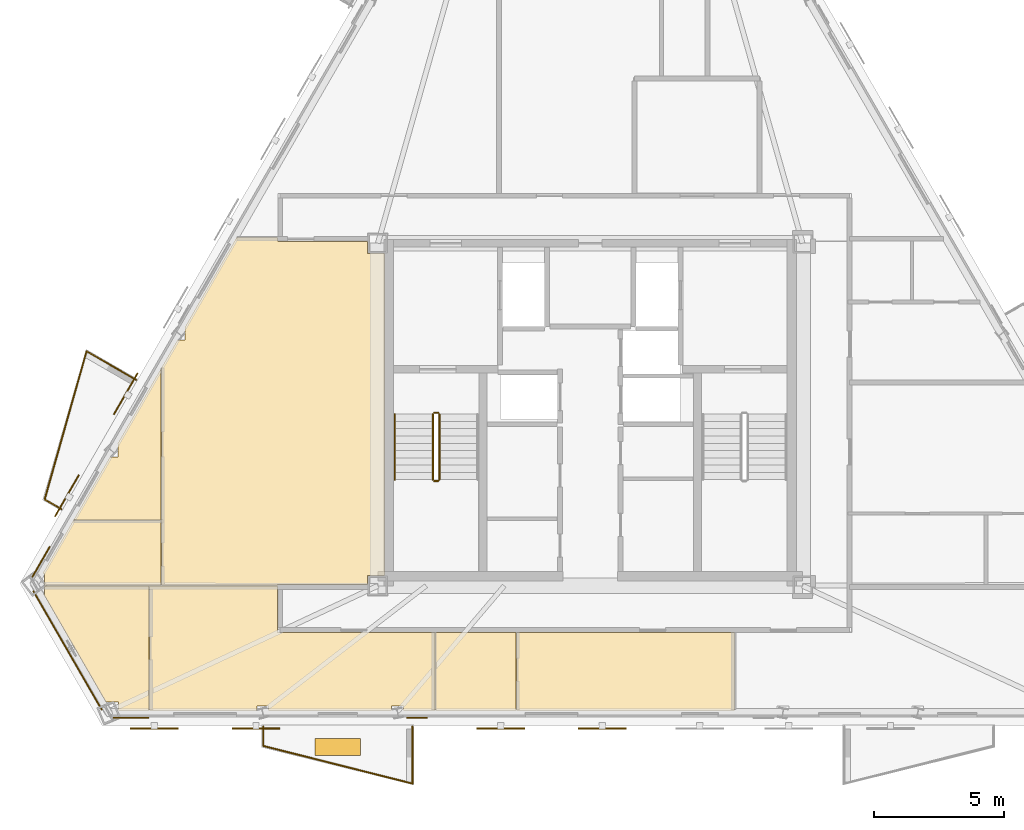
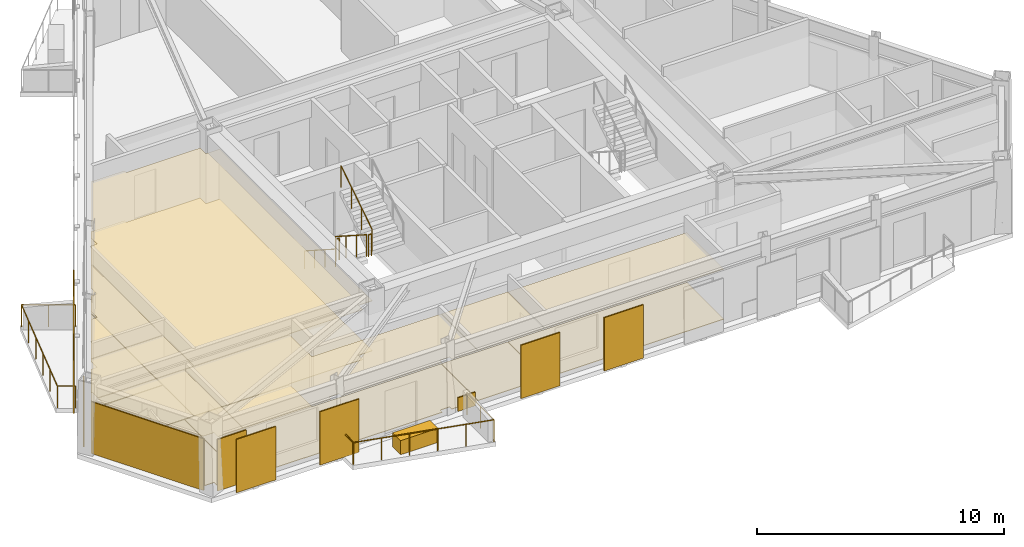
# One storey, part 6 of 8: 19 coverings, 11 railings, 6 shading devices.
"""IFC4 building model written with IfcOpenShell, lengths in metres."""

from ifc_helpers import new_model, si_unit, direction, frame, origin, origin_2d, place, context, subcontext, project, spatial, polyline, rectangle, circle, outline, extrude, material, layer, layer_set, type_object, element, save


model = new_model("IFC4")

# Units and contexts
model_context = context("Model", 3, precision=1e-05, world=origin(), true_north=direction((0.0, 1.0)))
body_context = subcontext(model_context, "Body", "Model", "MODEL_VIEW")
ifc_project = project(units=[si_unit("LENGTHUNIT", "METRE"), si_unit("AREAUNIT", "SQUARE_METRE"), si_unit("VOLUMEUNIT", "CUBIC_METRE"), si_unit("PLANEANGLEUNIT", "RADIAN"), si_unit("MASSUNIT", "GRAM", prefix="KILO")], contexts=[model_context])

# Site, building, storey
site_placement = place(None, origin())
site = spatial("IfcSite", under=ifc_project, at=site_placement, CompositionType="ELEMENT")
building_placement = place(site_placement, origin())
building = spatial("IfcBuilding", under=site, at=building_placement, Name="Oramaril Tower", CompositionType="ELEMENT")
storey_placement = place(building_placement, frame((0.0, 0.0, 241.5)))
storey = spatial("IfcBuildingStorey", under=building, at=storey_placement, Name="L64", CompositionType="ELEMENT", Elevation=241.5)

# Coverings
ifc_material_1 = material(Name="Mineral Fibre Acoustic Ceiling")
ifc_layer_1 = layer(ifc_material_1, 0.02001953125)
ifc_layer_set_1 = layer_set([ifc_layer_1], Name="CVT-CEIL")
covering_type_1 = type_object("IfcCoveringType", Name="CVT-CEIL", PredefinedType="CEILING", material=ifc_layer_set_1)
covering_1_placement = place(storey_placement, frame((0.0, 0.0, 2.471923828125)))
element("IfcCovering", 1, at=covering_1_placement, inside=storey, type_object=covering_type_1, Name="L64 Acoustic Suspended Ceiling 5", PredefinedType="CEILING", context=body_context, shape_type="SweptSolid", body=[
    extrude(outline(polyline([(31.5419921875, 6.21337890625), (30.329345703125, 6.21337890625), (30.329345703125, 6.3876953125), (29.880126953125, 6.3876953125), (29.880126953125, 6.21337890625), (25.156005859375, 6.21337890625), (25.156005859375, 6.3876953125), (24.69970703125, 6.3876953125), (24.69970703125, 6.21337890625), (20.58642578125, 6.21337890625), (20.58642578125, 10.991943359375), (25.5, 10.991943359375), (25.5, 9.219970703125), (25.5, 9.218017578125), (25.50048828125, 9.216064453125), (25.5009765625, 9.214111328125), (25.50146484375, 9.21240234375), (25.50244140625, 9.210693359375), (25.50341796875, 9.208984375), (25.50439453125, 9.207275390625), (25.505859375, 9.205810546875), (25.50732421875, 9.20458984375), (25.5087890625, 9.203369140625), (25.510498046875, 9.202392578125), (25.51220703125, 9.201416015625), (25.51416015625, 9.200927734375), (25.51611328125, 9.200439453125), (25.51806640625, 9.2001953125), (25.52001953125, 9.199951171875), (31.5419921875, 9.199951171875), (31.5419921875, 6.21337890625)])), origin(), (0.0, 0.0, 1.0), 0.02001953125),
])
covering_2_placement = place(storey_placement, frame((0.0, 0.0, 2.471923828125)))
element("IfcCovering", 2, at=covering_2_placement, inside=storey, type_object=covering_type_1, Name="L64 Acoustic Suspended Ceiling 6", PredefinedType="CEILING", context=body_context, shape_type="SweptSolid", body=[
    extrude(outline(polyline([(19.394287109375, 6.21337890625), (19.394287109375, 6.5380859375), (18.899169921875, 6.5380859375), (16.51171875, 10.673583984375), (16.55419921875, 10.673583984375), (16.55419921875, 10.991943359375), (20.56640625, 10.991943359375), (20.56640625, 6.21337890625), (19.394287109375, 6.21337890625)])), origin(), (0.0, 0.0, 1.0), 0.02001953125),
])
covering_3_placement = place(storey_placement, frame((0.0, 0.0, 2.471923828125)))
element("IfcCovering", 3, at=covering_3_placement, inside=storey, type_object=covering_type_1, Name="L64 Acoustic Suspended Ceiling 7", PredefinedType="CEILING", context=body_context, shape_type="SweptSolid", body=[
    extrude(outline(polyline([(34.677978515625, 6.21337890625), (34.677978515625, 9.199951171875), (43.0419921875, 9.199951171875), (43.0419921875, 6.21337890625), (34.677978515625, 6.21337890625)])), origin(), (0.0, 0.0, 1.0), 0.02001953125),
])
covering_4_placement = place(storey_placement, frame((0.0, 0.0, 2.471923828125)))
element("IfcCovering", 4, at=covering_4_placement, inside=storey, type_object=covering_type_1, Name="L64 Acoustic Suspended Ceiling 8", PredefinedType="CEILING", context=body_context, shape_type="SweptSolid", body=[
    extrude(outline(polyline([(31.56201171875, 6.21337890625), (31.56201171875, 9.199951171875), (34.657958984375, 9.199951171875), (34.657958984375, 6.21337890625), (31.56201171875, 6.21337890625)])), origin(), (0.0, 0.0, 1.0), 0.02001953125),
])
covering_5_placement = place(storey_placement, frame((0.0, 0.0, 2.471923828125)))
element("IfcCovering", 5, at=covering_5_placement, inside=storey, type_object=covering_type_1, Name="L64 Acoustic Suspended Ceiling 12", PredefinedType="CEILING", context=body_context, shape_type="SweptSolid", body=[
    extrude(outline(polyline([(28.955078125, 23.7548828125), (29.60009765625, 23.7548828125), (29.60009765625, 11.39501953125), (28.955078125, 11.39501953125), (28.955078125, 11.050048828125), (25.52001953125, 11.050048828125), (25.51806640625, 11.0498046875), (25.51611328125, 11.049560546875), (25.51416015625, 11.049072265625), (25.51220703125, 11.048583984375), (25.510498046875, 11.047607421875), (25.5087890625, 11.046630859375), (25.50732421875, 11.04541015625), (25.505859375, 11.044189453125), (25.50439453125, 11.042724609375), (25.50341796875, 11.041015625), (25.50244140625, 11.039306640625), (25.50146484375, 11.03759765625), (25.5009765625, 11.035888671875), (25.50048828125, 11.033935546875), (25.5, 11.031982421875), (25.5, 11.030029296875), (25.5, 11.011962890625), (21.048828125, 11.011962890625), (21.048828125, 19.37890625), (21.659912109375, 20.4375), (21.9541015625, 20.4375), (21.9541015625, 20.91650390625), (21.936767578125, 20.91650390625), (23.92578125, 24.362060546875), (25.5, 24.362060546875), (25.5, 24.239990234375), (25.5, 24.238037109375), (25.50048828125, 24.236083984375), (25.5009765625, 24.234130859375), (25.50146484375, 24.232421875), (25.50244140625, 24.230712890625), (25.50341796875, 24.22900390625), (25.50439453125, 24.227294921875), (25.505859375, 24.225830078125), (25.50732421875, 24.224609375), (25.5087890625, 24.223388671875), (25.510498046875, 24.222412109375), (25.51220703125, 24.221435546875), (25.51416015625, 24.220947265625), (25.51611328125, 24.220458984375), (25.51806640625, 24.22021484375), (25.52001953125, 24.219970703125), (28.955078125, 24.219970703125), (28.955078125, 23.7548828125)])), origin(), (0.0, 0.0, 1.0), 0.02001953125),
])
covering_6_placement = place(storey_placement, frame((0.0, 0.0, 2.471923828125)))
element("IfcCovering", 6, at=covering_6_placement, inside=storey, type_object=covering_type_1, Name="L64 Acoustic Suspended Ceiling 13", PredefinedType="CEILING", context=body_context, shape_type="SweptSolid", body=[
    extrude(outline(polyline([(16.55419921875, 11.466796875), (16.48095703125, 11.466796875), (17.66162109375, 13.511962890625), (21.02880859375, 13.511962890625), (21.02880859375, 11.011962890625), (20.58642578125, 11.011962890625), (20.58447265625, 11.011962890625), (20.58251953125, 11.01171875), (20.58056640625, 11.010986328125), (20.57861328125, 11.010498046875), (20.576904296875, 11.009521484375), (20.576416015625, 11.00927734375), (20.57568359375, 11.009521484375), (20.57421875, 11.010498046875), (20.572265625, 11.010986328125), (20.5703125, 11.01171875), (20.568359375, 11.011962890625), (20.56640625, 11.011962890625), (16.55419921875, 11.011962890625), (16.55419921875, 11.466796875)])), origin(), (0.0, 0.0, 1.0), 0.02001953125),
])
covering_7_placement = place(storey_placement, frame((0.0, 0.0, 2.471923828125)))
element("IfcCovering", 7, at=covering_7_placement, inside=storey, type_object=covering_type_1, Name="L64 Acoustic Suspended Ceiling 14", PredefinedType="CEILING", context=body_context, shape_type="SweptSolid", body=[
    extrude(outline(polyline([(19.364013671875, 15.951171875), (19.364013671875, 16.4365234375), (19.35009765625, 16.4365234375), (19.410400390625, 16.541015625), (21.02880859375, 19.34423828125), (21.02880859375, 13.531982421875), (17.673095703125, 13.531982421875), (19.06982421875, 15.951171875), (19.364013671875, 15.951171875)])), origin(), (0.0, 0.0, 1.0), 0.02001953125),
])
ifc_material_2 = material(Name="Warm Cream Limestone", Category="masonry")
ifc_layer_2 = layer(ifc_material_2, 0.050048828125)
ifc_layer_set_2 = layer_set([ifc_layer_2], Name="CVT-CLD")
covering_type_2 = type_object("IfcCoveringType", Name="CVT-CLD", PredefinedType="CLADDING", material=ifc_layer_set_2)
covering_8_placement = place(storey_placement, frame((17.43798828125, 8.51708984375, 0.0400390625), z_axis=(0.0, 0.0, 1.0), x_axis=(0.500001511499, -0.866024531118, 0.0)))
element("IfcCovering", 8, at=covering_8_placement, inside=storey, type_object=covering_type_2, Name="L64 Warm Cream Limestone Cladding", PredefinedType="CLADDING", context=body_context, shape_type="SweptSolid", body=[
    extrude(rectangle(XDim=5.263671875, YDim=0.050048828125, at=origin_2d()), origin(), (0.0, 0.0, 1.0), 2.556884765625),
])
covering_9_placement = place(storey_placement, frame((19.87451171875, 5.9375, 0.0400390625), z_axis=(0.0, 0.0, 1.0), x_axis=(1.0, 0.0, 0.0)))
element("IfcCovering", 9, at=covering_9_placement, inside=storey, type_object=covering_type_2, Name="L64 Warm Cream Limestone Cladding", PredefinedType="CLADDING", context=body_context, shape_type="SweptSolid", body=[
    extrude(rectangle(XDim=1.35009765625, YDim=0.050048828125, at=origin_2d()), origin(), (0.0, 0.0, 1.0), 2.556884765625),
])
covering_10_placement = place(storey_placement, frame((30.848876953125, 5.9375, 0.0400390625), z_axis=(0.0, 0.0, 1.0), x_axis=(1.0, 0.0, 0.0)))
element("IfcCovering", 10, at=covering_10_placement, inside=storey, type_object=covering_type_2, Name="L64 Warm Cream Limestone Spandrel Cladding", PredefinedType="CLADDING", context=body_context, shape_type="SweptSolid", body=[
    extrude(rectangle(XDim=0.800048828125, YDim=0.050048828125, at=origin_2d()), origin(), (0.0, 0.0, 1.0), 0.679931640625),
])
covering_11_placement = place(storey_placement, frame((16.422119140625, 11.9169921875, 0.0400390625), z_axis=(0.0, 0.0, 1.0), x_axis=(-0.4999984885, -0.866026276448, 0.0)))
element("IfcCovering", 11, at=covering_11_placement, inside=storey, type_object=covering_type_2, Name="L64 Warm Cream Limestone Cladding", PredefinedType="CLADDING", context=body_context, shape_type="SweptSolid", body=[
    extrude(rectangle(XDim=1.35009765625, YDim=0.050048828125, at=origin_2d()), origin(), (0.0, 0.0, 1.0), 2.556884765625),
])
covering_12_placement = place(storey_placement, frame((27.808837890625, 4.80908203125, 0.0), z_axis=(0.0, 0.0, 1.0), x_axis=(1.0, 0.0, 0.0)))
element("IfcCovering", 12, at=covering_12_placement, inside=storey, type_object=covering_type_2, Name="L64 Structural Tree Planter Box L64-BAL-S1", PredefinedType="CLADDING", context=body_context, shape_type="SweptSolid", body=[
    extrude(rectangle(XDim=1.75, YDim=0.64990234375, at=origin_2d()), origin(), (0.0, 0.0, 1.0), 0.699951171875),
])
ifc_material_3 = material(Name="Honed Quartzite Stone Flooring", Category="masonry")
ifc_layer_3 = layer(ifc_material_3, 0.02490234375)
ifc_layer_set_3 = layer_set([ifc_layer_3], Name="CVT-FLR")
covering_type_3 = type_object("IfcCoveringType", Name="CVT-FLR", PredefinedType="FLOORING", material=ifc_layer_set_3)
covering_13_placement = place(storey_placement, origin())
element("IfcCovering", 13, at=covering_13_placement, inside=storey, type_object=covering_type_3, Name="L64 Honed Stone Floor Finish 5", PredefinedType="FLOORING", context=body_context, shape_type="SweptSolid", body=[
    extrude(outline(polyline([(31.5419921875, 6.21337890625), (30.329345703125, 6.21337890625), (30.329345703125, 6.3876953125), (29.880126953125, 6.3876953125), (29.880126953125, 6.21337890625), (25.156005859375, 6.21337890625), (25.156005859375, 6.3876953125), (24.69970703125, 6.3876953125), (24.69970703125, 6.21337890625), (20.58642578125, 6.21337890625), (20.58642578125, 10.991943359375), (25.5, 10.991943359375), (25.5, 9.219970703125), (25.5, 9.218017578125), (25.50048828125, 9.216064453125), (25.5009765625, 9.214111328125), (25.50146484375, 9.21240234375), (25.50244140625, 9.210693359375), (25.50341796875, 9.208984375), (25.50439453125, 9.207275390625), (25.505859375, 9.205810546875), (25.50732421875, 9.20458984375), (25.5087890625, 9.203369140625), (25.510498046875, 9.202392578125), (25.51220703125, 9.201416015625), (25.51416015625, 9.200927734375), (25.51611328125, 9.200439453125), (25.51806640625, 9.2001953125), (25.52001953125, 9.199951171875), (31.5419921875, 9.199951171875), (31.5419921875, 6.21337890625)])), origin(), (0.0, 0.0, 1.0), 0.02490234375),
])
covering_14_placement = place(storey_placement, origin())
element("IfcCovering", 14, at=covering_14_placement, inside=storey, type_object=covering_type_3, Name="L64 Honed Stone Floor Finish 6", PredefinedType="FLOORING", context=body_context, shape_type="SweptSolid", body=[
    extrude(outline(polyline([(19.394287109375, 6.21337890625), (19.394287109375, 6.5380859375), (18.899169921875, 6.5380859375), (16.51171875, 10.673583984375), (16.55419921875, 10.673583984375), (16.55419921875, 10.991943359375), (20.56640625, 10.991943359375), (20.56640625, 6.21337890625), (19.394287109375, 6.21337890625)])), origin(), (0.0, 0.0, 1.0), 0.02490234375),
])
covering_15_placement = place(storey_placement, origin())
element("IfcCovering", 15, at=covering_15_placement, inside=storey, type_object=covering_type_3, Name="L64 Honed Stone Floor Finish 7", PredefinedType="FLOORING", context=body_context, shape_type="SweptSolid", body=[
    extrude(outline(polyline([(34.677978515625, 6.21337890625), (34.677978515625, 9.199951171875), (43.0419921875, 9.199951171875), (43.0419921875, 6.21337890625), (34.677978515625, 6.21337890625)])), origin(), (0.0, 0.0, 1.0), 0.02490234375),
])
covering_16_placement = place(storey_placement, origin())
element("IfcCovering", 16, at=covering_16_placement, inside=storey, type_object=covering_type_3, Name="L64 Honed Stone Floor Finish 8", PredefinedType="FLOORING", context=body_context, shape_type="SweptSolid", body=[
    extrude(outline(polyline([(31.56201171875, 6.21337890625), (31.56201171875, 9.199951171875), (34.657958984375, 9.199951171875), (34.657958984375, 6.21337890625), (31.56201171875, 6.21337890625)])), origin(), (0.0, 0.0, 1.0), 0.02490234375),
])
covering_17_placement = place(storey_placement, origin())
element("IfcCovering", 17, at=covering_17_placement, inside=storey, type_object=covering_type_3, Name="L64 Honed Stone Floor Finish 12", PredefinedType="FLOORING", context=body_context, shape_type="SweptSolid", body=[
    extrude(outline(polyline([(28.955078125, 23.7548828125), (29.60009765625, 23.7548828125), (29.60009765625, 11.39501953125), (28.955078125, 11.39501953125), (28.955078125, 11.050048828125), (25.52001953125, 11.050048828125), (25.51806640625, 11.0498046875), (25.51611328125, 11.049560546875), (25.51416015625, 11.049072265625), (25.51220703125, 11.048583984375), (25.510498046875, 11.047607421875), (25.5087890625, 11.046630859375), (25.50732421875, 11.04541015625), (25.505859375, 11.044189453125), (25.50439453125, 11.042724609375), (25.50341796875, 11.041015625), (25.50244140625, 11.039306640625), (25.50146484375, 11.03759765625), (25.5009765625, 11.035888671875), (25.50048828125, 11.033935546875), (25.5, 11.031982421875), (25.5, 11.030029296875), (25.5, 11.011962890625), (21.048828125, 11.011962890625), (21.048828125, 19.37890625), (21.659912109375, 20.4375), (21.9541015625, 20.4375), (21.9541015625, 20.91650390625), (21.936767578125, 20.91650390625), (23.92578125, 24.362060546875), (25.5, 24.362060546875), (25.5, 24.239990234375), (25.5, 24.238037109375), (25.50048828125, 24.236083984375), (25.5009765625, 24.234130859375), (25.50146484375, 24.232421875), (25.50244140625, 24.230712890625), (25.50341796875, 24.22900390625), (25.50439453125, 24.227294921875), (25.505859375, 24.225830078125), (25.50732421875, 24.224609375), (25.5087890625, 24.223388671875), (25.510498046875, 24.222412109375), (25.51220703125, 24.221435546875), (25.51416015625, 24.220947265625), (25.51611328125, 24.220458984375), (25.51806640625, 24.22021484375), (25.52001953125, 24.219970703125), (28.955078125, 24.219970703125), (28.955078125, 23.7548828125)])), origin(), (0.0, 0.0, 1.0), 0.02490234375),
])
covering_18_placement = place(storey_placement, origin())
element("IfcCovering", 18, at=covering_18_placement, inside=storey, type_object=covering_type_3, Name="L64 Honed Stone Floor Finish 13", PredefinedType="FLOORING", context=body_context, shape_type="SweptSolid", body=[
    extrude(outline(polyline([(16.55419921875, 11.466796875), (16.48095703125, 11.466796875), (17.66162109375, 13.511962890625), (21.02880859375, 13.511962890625), (21.02880859375, 11.011962890625), (20.58642578125, 11.011962890625), (20.58447265625, 11.011962890625), (20.58251953125, 11.01171875), (20.58056640625, 11.010986328125), (20.57861328125, 11.010498046875), (20.576904296875, 11.009521484375), (20.576416015625, 11.00927734375), (20.57568359375, 11.009521484375), (20.57421875, 11.010498046875), (20.572265625, 11.010986328125), (20.5703125, 11.01171875), (20.568359375, 11.011962890625), (20.56640625, 11.011962890625), (16.55419921875, 11.011962890625), (16.55419921875, 11.466796875)])), origin(), (0.0, 0.0, 1.0), 0.02490234375),
])
covering_19_placement = place(storey_placement, origin())
element("IfcCovering", 19, at=covering_19_placement, inside=storey, type_object=covering_type_3, Name="L64 Honed Stone Floor Finish 14", PredefinedType="FLOORING", context=body_context, shape_type="SweptSolid", body=[
    extrude(outline(polyline([(19.364013671875, 15.951171875), (19.364013671875, 16.4365234375), (19.35009765625, 16.4365234375), (19.410400390625, 16.541015625), (21.02880859375, 19.34423828125), (21.02880859375, 13.531982421875), (17.673095703125, 13.531982421875), (19.06982421875, 15.951171875), (19.364013671875, 15.951171875)])), origin(), (0.0, 0.0, 1.0), 0.02490234375),
])

# Railings
ifc_material_4 = material(Name="Stainless Steel 316L", Category="steel")
railing_type_1 = type_object("IfcRailingType", Name="RLT-GRD", PredefinedType="GUARDRAIL", material=ifc_material_4)
railing_1_placement = place(storey_placement, frame((30.673828125, 5.597412109375, 0.0)))
element("IfcRailing", 20, at=railing_1_placement, inside=storey, type_object=railing_type_1, Name="L64 Balcony Guardrail L64-BAL-S1.1", PredefinedType="GUARDRAIL", context=body_context, shape_type="SweptSolid", body=[
    extrude(circle(Radius=0.02392578125, at=origin_2d()), frame((0.0, 0.0, 1.076171875), z_axis=(0.0, -1.0, 0.0), x_axis=(1.0, 0.0, 0.0)), (0.0, 0.0, 1.0), 2.19189453125),
    extrude(circle(Radius=0.02099609375, at=origin_2d()), origin(), (0.0, 0.0, 1.0), 1.052001953125),
    extrude(circle(Radius=0.02099609375, at=origin_2d()), frame((0.0, -1.095947265625, 0.0)), (0.0, 0.0, 1.0), 1.052001953125),
    extrude(circle(Radius=0.02099609375, at=origin_2d()), frame((0.0, -2.19189453125, 0.0)), (0.0, 0.0, 1.0), 1.052001953125),
])
railing_2_placement = place(storey_placement, frame((30.673828125, 3.405517578125, 0.0)))
element("IfcRailing", 21, at=railing_2_placement, inside=storey, type_object=railing_type_1, Name="L64 Balcony Guardrail L64-BAL-S1.2", PredefinedType="GUARDRAIL", context=body_context, shape_type="SweptSolid", body=[
    extrude(circle(Radius=0.02392578125, at=origin_2d()), frame((0.0, 0.0, 1.076171875), z_axis=(-0.969443611257, 0.245314256807, 0.0), x_axis=(-0.245314256807, -0.969443611257, 0.0)), (0.0, 0.0, 1.0), 5.91064453125),
    extrude(circle(Radius=0.02099609375, at=origin_2d()), origin(), (0.0, 0.0, 1.0), 1.052001953125),
    extrude(circle(Radius=0.02099609375, at=origin_2d()), frame((-1.14599609375, 0.2900390625, 0.0)), (0.0, 0.0, 1.0), 1.052001953125),
    extrude(circle(Radius=0.02099609375, at=origin_2d()), frame((-2.2919921875, 0.580078125, 0.0)), (0.0, 0.0, 1.0), 1.052001953125),
    extrude(circle(Radius=0.02099609375, at=origin_2d()), frame((-3.43798828125, 0.869873046875, 0.0)), (0.0, 0.0, 1.0), 1.052001953125),
    extrude(circle(Radius=0.02099609375, at=origin_2d()), frame((-4.583984375, 1.159912109375, 0.0)), (0.0, 0.0, 1.0), 1.052001953125),
    extrude(circle(Radius=0.02099609375, at=origin_2d()), frame((-5.72998046875, 1.449951171875, 0.0)), (0.0, 0.0, 1.0), 1.052001953125),
])
railing_3_placement = place(storey_placement, frame((24.94384765625, 4.85546875, 0.0)))
element("IfcRailing", 22, at=railing_3_placement, inside=storey, type_object=railing_type_1, Name="L64 Balcony Guardrail L64-BAL-S1.3", PredefinedType="GUARDRAIL", context=body_context, shape_type="SweptSolid", body=[
    extrude(circle(Radius=0.02392578125, at=origin_2d()), frame((0.0, 0.0, 1.076171875), z_axis=(0.0, 1.0, 0.0), x_axis=(-1.0, 0.0, 0.0)), (0.0, 0.0, 1.0), 0.741943359375),
    extrude(circle(Radius=0.02099609375, at=origin_2d()), origin(), (0.0, 0.0, 1.0), 1.052001953125),
    extrude(circle(Radius=0.02099609375, at=origin_2d()), frame((0.0, 0.741943359375, 0.0)), (0.0, 0.0, 1.0), 1.052001953125),
])
railing_4_placement = place(storey_placement, frame((17.19970703125, 13.944091796875, 0.0)))
element("IfcRailing", 23, at=railing_4_placement, inside=storey, type_object=railing_type_1, Name="L64 Balcony Guardrail L64-BAL-NW2.1", PredefinedType="GUARDRAIL", context=body_context, shape_type="SweptSolid", body=[
    extrude(circle(Radius=0.02392578125, at=origin_2d()), frame((0.0, 0.0, 1.076171875), z_axis=(-0.865884080729, 0.500244698863, 0.0), x_axis=(-0.500244698863, -0.865884080729, 0.0)), (0.0, 0.0, 1.0), 0.741943359375),
    extrude(circle(Radius=0.02099609375, at=origin_2d()), origin(), (0.0, 0.0, 1.0), 1.052001953125),
    extrude(circle(Radius=0.02099609375, at=origin_2d()), frame((-0.642333984375, 0.37109375, 0.0)), (0.0, 0.0, 1.0), 1.052001953125),
])
railing_5_placement = place(storey_placement, frame((16.557373046875, 14.315185546875, 0.0)))
element("IfcRailing", 24, at=railing_5_placement, inside=storey, type_object=railing_type_1, Name="L64 Balcony Guardrail L64-BAL-NW2.2", PredefinedType="GUARDRAIL", context=body_context, shape_type="SweptSolid", body=[
    extrude(circle(Radius=0.02392578125, at=origin_2d()), frame((0.0, 0.0, 1.076171875), z_axis=(0.27224886544, 0.962226873074, 0.0), x_axis=(-0.962226873074, 0.27224886544, 0.0)), (0.0, 0.0, 1.0), 5.910400390625),
    extrude(circle(Radius=0.02099609375, at=origin_2d()), origin(), (0.0, 0.0, 1.0), 1.052001953125),
    extrude(circle(Radius=0.02099609375, at=origin_2d()), frame((0.32177734375, 1.137451171875, 0.0)), (0.0, 0.0, 1.0), 1.052001953125),
    extrude(circle(Radius=0.02099609375, at=origin_2d()), frame((0.6435546875, 2.27490234375, 0.0)), (0.0, 0.0, 1.0), 1.052001953125),
    extrude(circle(Radius=0.02099609375, at=origin_2d()), frame((0.965576171875, 3.412353515625, 0.0)), (0.0, 0.0, 1.0), 1.052001953125),
    extrude(circle(Radius=0.02099609375, at=origin_2d()), frame((1.287353515625, 4.5498046875, 0.0)), (0.0, 0.0, 1.0), 1.052001953125),
    extrude(circle(Radius=0.02099609375, at=origin_2d()), frame((1.609130859375, 5.687255859375, 0.0)), (0.0, 0.0, 1.0), 1.052001953125),
])
railing_6_placement = place(storey_placement, frame((18.16650390625, 20.00244140625, 0.0)))
element("IfcRailing", 25, at=railing_6_placement, inside=storey, type_object=railing_type_1, Name="L64 Balcony Guardrail L64-BAL-NW2.3", PredefinedType="GUARDRAIL", context=body_context, shape_type="SweptSolid", body=[
    extrude(circle(Radius=0.02392578125, at=origin_2d()), frame((0.0, 0.0, 1.076171875), z_axis=(0.866020500697, -0.5000084923, 0.0), x_axis=(0.5000084923, 0.866020500697, 0.0)), (0.0, 0.0, 1.0), 2.19189453125),
    extrude(circle(Radius=0.02099609375, at=origin_2d()), origin(), (0.0, 0.0, 1.0), 1.052001953125),
    extrude(circle(Radius=0.02099609375, at=origin_2d()), frame((0.94921875, -0.5478515625, 0.0)), (0.0, 0.0, 1.0), 1.052001953125),
    extrude(circle(Radius=0.02099609375, at=origin_2d()), frame((1.898193359375, -1.095947265625, 0.0)), (0.0, 0.0, 1.0), 1.052001953125),
])
railing_7_placement = place(storey_placement, frame((31.4599609375, 17.590087890625, 0.179931640625)))
element("IfcRailing", 26, at=railing_7_placement, inside=storey, type_object=railing_type_1, Name="L64 ST-1 stair guard 1", PredefinedType="GUARDRAIL", context=body_context, shape_type="SweptSolid", body=[
    extrude(circle(Radius=0.02392578125, at=origin_2d()), frame((0.0, 0.0, 1.076171875), z_axis=(0.0, -0.841162588446, 0.540782303519), x_axis=(1.0, 0.0, 0.0)), (0.0, 0.0, 1.0), 2.995849609375),
    extrude(circle(Radius=0.02099609375, at=origin_2d()), origin(), (0.0, 0.0, 1.0), 1.052001953125),
    extrude(circle(Radius=0.02099609375, at=origin_2d()), frame((0.0, -0.840087890625, 0.5400390625)), (0.0, 0.0, 1.0), 1.052001953125),
    extrude(circle(Radius=0.02099609375, at=origin_2d()), frame((0.0, -1.679931640625, 1.080078125)), (0.0, 0.0, 1.0), 1.052001953125),
    extrude(circle(Radius=0.02099609375, at=origin_2d()), frame((0.0, -2.52001953125, 1.6201171875)), (0.0, 0.0, 1.0), 1.052001953125),
])
railing_8_placement = place(storey_placement, frame((31.510009765625, 15.02001953125, 1.800048828125)))
element("IfcRailing", 27, at=railing_8_placement, inside=storey, type_object=railing_type_1, Name="L64 ST-1 stair guard 2", PredefinedType="GUARDRAIL", context=body_context, shape_type="SweptSolid", body=[
    extrude(circle(Radius=0.02392578125, at=origin_2d()), frame((0.0, 0.0, 1.076171875), z_axis=(1.0, 0.0, 0.0), x_axis=(0.0, 1.0, 0.0)), (0.0, 0.0, 1.0), 0.14990234375),
    extrude(circle(Radius=0.02099609375, at=origin_2d()), origin(), (0.0, 0.0, 1.0), 1.052001953125),
    extrude(circle(Radius=0.02099609375, at=origin_2d()), frame((0.14990234375, 0.0, 0.0)), (0.0, 0.0, 1.0), 1.052001953125),
])
railing_9_placement = place(storey_placement, frame((31.7099609375, 15.070068359375, 1.97998046875)))
element("IfcRailing", 28, at=railing_9_placement, inside=storey, type_object=railing_type_1, Name="L64 ST-1 stair guard 3", PredefinedType="GUARDRAIL", context=body_context, shape_type="SweptSolid", body=[
    extrude(circle(Radius=0.02392578125, at=origin_2d()), frame((0.0, 0.0, 1.076171875), z_axis=(0.0, 0.841162588446, 0.540782303519), x_axis=(-1.0, 0.0, 0.0)), (0.0, 0.0, 1.0), 2.995849609375),
    extrude(circle(Radius=0.02099609375, at=origin_2d()), origin(), (0.0, 0.0, 1.0), 1.052001953125),
    extrude(circle(Radius=0.02099609375, at=origin_2d()), frame((0.0, 0.840087890625, 0.5400390625)), (0.0, 0.0, 1.0), 1.052001953125),
    extrude(circle(Radius=0.02099609375, at=origin_2d()), frame((0.0, 1.679931640625, 1.080078125)), (0.0, 0.0, 1.0), 1.052001953125),
    extrude(circle(Radius=0.02099609375, at=origin_2d()), frame((0.0, 2.52001953125, 1.6201171875)), (0.0, 0.0, 1.0), 1.052001953125),
])
railing_10_placement = place(storey_placement, frame((31.510009765625, 17.639892578125, 0.0)))
element("IfcRailing", 29, at=railing_10_placement, inside=storey, type_object=railing_type_1, Name="L64 ST-1 stair guard 4", PredefinedType="GUARDRAIL", context=body_context, shape_type="SweptSolid", body=[
    extrude(circle(Radius=0.02392578125, at=origin_2d()), frame((0.0, 0.0, 1.076171875), z_axis=(1.0, 0.0, 0.0), x_axis=(0.0, 1.0, 0.0)), (0.0, 0.0, 1.0), 0.14990234375),
    extrude(circle(Radius=0.02099609375, at=origin_2d()), origin(), (0.0, 0.0, 1.0), 1.052001953125),
    extrude(circle(Radius=0.02099609375, at=origin_2d()), frame((0.14990234375, 0.0, 0.0)), (0.0, 0.0, 1.0), 1.052001953125),
])
ifc_material_5 = material(Name="Stainless Steel 316L", Category="steel")
railing_type_2 = type_object("IfcRailingType", Name="RLT-HND", PredefinedType="HANDRAIL", material=ifc_material_5)
railing_11_placement = place(storey_placement, frame((30.0, 17.590087890625, 0.179931640625)))
element("IfcRailing", 30, at=railing_11_placement, inside=storey, type_object=railing_type_2, Name="L64 ST-1 stair handrail 1", PredefinedType="HANDRAIL", context=body_context, shape_type="SweptSolid", body=[
    extrude(circle(Radius=0.02392578125, at=origin_2d()), frame((0.0, 0.0, 0.8759765625), z_axis=(0.0, -0.841162588446, 0.540782303519), x_axis=(1.0, 0.0, 0.0)), (0.0, 0.0, 1.0), 2.995849609375),
    extrude(circle(Radius=0.02099609375, at=origin_2d()), origin(), (0.0, 0.0, 1.0), 0.851806640625),
    extrude(circle(Radius=0.02099609375, at=origin_2d()), frame((0.0, -0.840087890625, 0.5400390625)), (0.0, 0.0, 1.0), 0.851806640625),
    extrude(circle(Radius=0.02099609375, at=origin_2d()), frame((0.0, -1.679931640625, 1.080078125)), (0.0, 0.0, 1.0), 0.851806640625),
    extrude(circle(Radius=0.02099609375, at=origin_2d()), frame((0.0, -2.52001953125, 1.6201171875)), (0.0, 0.0, 1.0), 0.851806640625),
])

# Shading devices
for number, where, z_axis, x_axis, name in (
    (31, (20.768798828125, 5.525390625, -0.02001953125), (0.0, 0.0, 1.0), (1.0, 0.0, 0.0), "L64 Perforated Ceramic Solar Screen"),
    (32, (24.668701171875, 5.525390625, -0.02001953125), (0.0, 0.0, 1.0), (1.0, 0.0, 0.0), "L64 Perforated Ceramic Solar Screen"),
    (33, (34.06396484375, 5.525390625, -0.02001953125), (0.0, 0.0, 1.0), (1.0, 0.0, 0.0), "L64 Perforated Ceramic Solar Screen"),
    (34, (37.9638671875, 5.525390625, -0.02001953125), (0.0, 0.0, 1.0), (1.0, 0.0, 0.0), "L64 Perforated Ceramic Solar Screen"),
    (35, (19.6708984375, 18.368408203125, -0.02001953125), (0.0, 0.0, 1.0), (-0.4999984885, -0.866026276448, 0.0), "L64 Perforated Ceramic Solar Screen"),
    (36, (17.41357421875, 14.458251953125, -0.02001953125), (0.0, 0.0, 1.0), (-0.4999984885, -0.866026276448, 0.0), "L64 Perforated Ceramic Solar Screen"),
):
    element("IfcShadingDevice", number, at=place(storey_placement, frame(where, z_axis=z_axis, x_axis=x_axis)), inside=storey, Name=name, ObjectType="SCREEN", PredefinedType="USERDEFINED", context=body_context, shape_type="SweptSolid", body=[
        extrude(rectangle(XDim=1.8330078125, YDim=0.050048828125, at=origin_2d()), origin(), (0.0, 0.0, 1.0), 2.636962890625),
    ])

save(model, "model.ifc")
